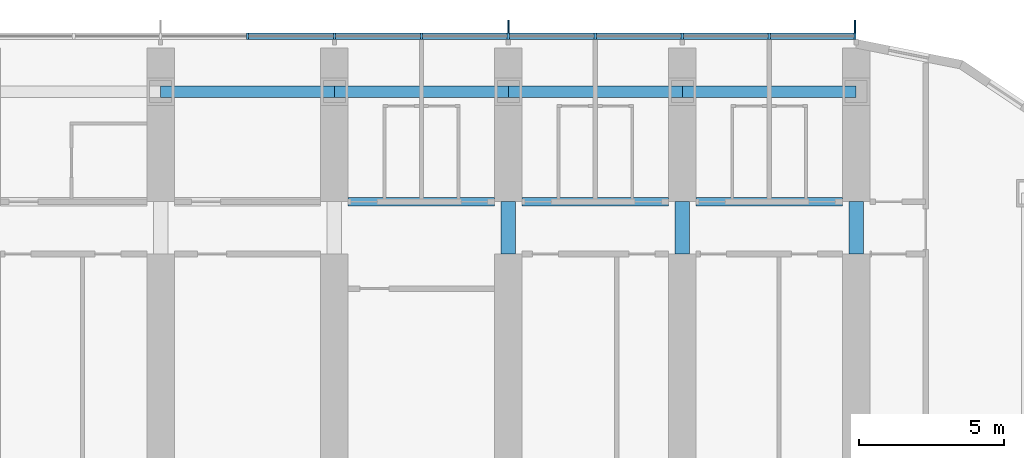
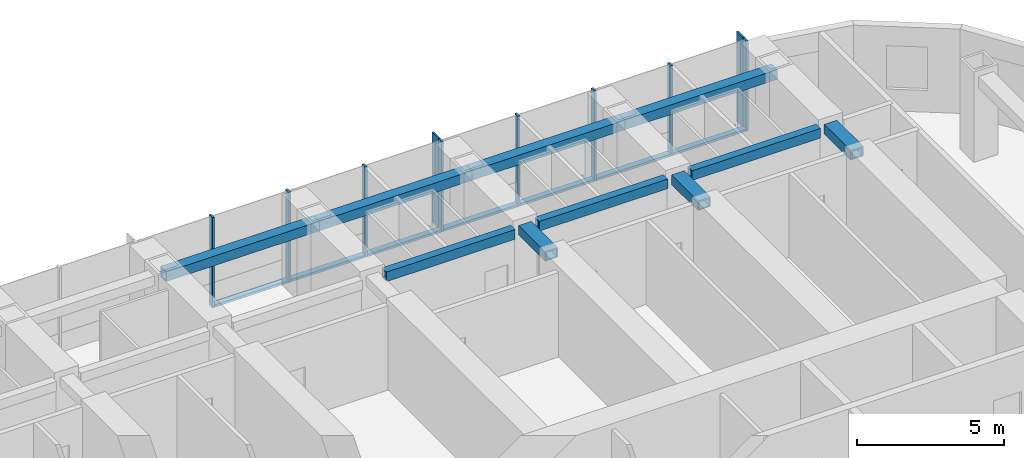
# One storey, part 5 of 22: 17 members, 10 beams, 1 element without a shape of its own.
"""IFC4 building model written with IfcOpenShell, lengths in metres."""

from ifc_helpers import new_model, si_unit, direction, frame, origin, origin_2d, place, context, subcontext, project, spatial, rectangle, hollow_rectangle, extrude, material, material_profile, profile_set, type_object, element, aggregate, save


model = new_model("IFC4")

# Units and contexts
model_context = context("Model", 3, precision=1e-05, world=origin(), true_north=direction((0.0, 1.0)))
body_context = subcontext(model_context, "Body", "Model", "MODEL_VIEW")
ifc_project = project(units=[si_unit("LENGTHUNIT", "METRE"), si_unit("AREAUNIT", "SQUARE_METRE"), si_unit("VOLUMEUNIT", "CUBIC_METRE"), si_unit("PLANEANGLEUNIT", "RADIAN"), si_unit("MASSUNIT", "GRAM", prefix="KILO")], contexts=[model_context])

# Site, building, storey
site_placement = place(None, origin())
site = spatial("IfcSite", under=ifc_project, at=site_placement, CompositionType="ELEMENT")
building_placement = place(site_placement, origin())
building = spatial("IfcBuilding", under=site, at=building_placement, Name="Orbita Commons", CompositionType="ELEMENT")
storey_placement = place(building_placement, frame((0.0, 0.0, 118.14990234375)))
storey = spatial("IfcBuildingStorey", under=building, at=storey_placement, Name="L29", CompositionType="ELEMENT", Elevation=118.14990234375)

# Curtain wall, members
ifc_material_1 = material(Name="Anodised aluminium frame, pale silver", Category="aluminium")
curtain_wall_type = type_object("IfcCurtainWallType", Name="Unitised curtain wall CW-T, vision and spandrel", PredefinedType="NOTDEFINED", material=ifc_material_1)
curtain_wall_placement = place(storey_placement, origin())
curtain_wall = element("IfcCurtainWall", 1, at=curtain_wall_placement, inside=storey, type_object=curtain_wall_type, Name="Curtain wall north L29", PredefinedType="NOTDEFINED")
ifc_material_2 = material(Name="Anodised aluminium, pale silver", Category="aluminium")
ifc_material_profile_1 = material_profile(ifc_material_2, rectangle(XDim=0.080078125, YDim=0.219970703125, at=origin_2d()), Name="AL 80x220")
ifc_profile_set_1 = profile_set([ifc_material_profile_1], Name="Anodised aluminium, pale silver")
member_type_1 = type_object("IfcMemberType", Name="Curtain wall mullion 80x220", PredefinedType="MULLION", material=ifc_profile_set_1)
member_1_placement = place(storey_placement, frame((65.9599609375, 55.510009765625, -0.25), z_axis=(0.0, 0.0, 1.0), x_axis=(-1.0, 0.0, 0.0)))
member_1 = element("IfcMember", 2, at=member_1_placement, type_object=member_type_1, Name="Mullion 1 CW-L29-N", PredefinedType="MULLION", context=body_context, shape_type="SweptSolid", body=[
    extrude(rectangle(XDim=0.080078125, YDim=0.219970703125, at=origin_2d()), origin(), (0.0, 0.0, 1.0), 3.75),
])
member_2_placement = place(storey_placement, frame((63.0, 55.510009765625, -0.25), z_axis=(0.0, 0.0, 1.0), x_axis=(-1.0, 0.0, 0.0)))
member_2 = element("IfcMember", 3, at=member_2_placement, type_object=member_type_1, Name="Mullion 2 CW-L29-N", PredefinedType="MULLION", context=body_context, shape_type="SweptSolid", body=[
    extrude(rectangle(XDim=0.080078125, YDim=0.219970703125, at=origin_2d()), origin(), (0.0, 0.0, 1.0), 3.75),
])
member_3_placement = place(storey_placement, frame((60.0, 55.510009765625, -0.25), z_axis=(0.0, 0.0, 1.0), x_axis=(-1.0, 0.0, 0.0)))
member_3 = element("IfcMember", 4, at=member_3_placement, type_object=member_type_1, Name="Mullion 3 CW-L29-N", PredefinedType="MULLION", context=body_context, shape_type="SweptSolid", body=[
    extrude(rectangle(XDim=0.080078125, YDim=0.219970703125, at=origin_2d()), origin(), (0.0, 0.0, 1.0), 3.75),
])
member_4_placement = place(storey_placement, frame((57.0, 55.510009765625, -0.25), z_axis=(0.0, 0.0, 1.0), x_axis=(-1.0, 0.0, 0.0)))
member_4 = element("IfcMember", 5, at=member_4_placement, type_object=member_type_1, Name="Mullion 4 CW-L29-N", PredefinedType="MULLION", context=body_context, shape_type="SweptSolid", body=[
    extrude(rectangle(XDim=0.080078125, YDim=0.219970703125, at=origin_2d()), origin(), (0.0, 0.0, 1.0), 3.75),
])
member_5_placement = place(storey_placement, frame((54.0, 55.510009765625, -0.25), z_axis=(0.0, 0.0, 1.0), x_axis=(-1.0, 0.0, 0.0)))
member_5 = element("IfcMember", 6, at=member_5_placement, type_object=member_type_1, Name="Mullion 5 CW-L29-N", PredefinedType="MULLION", context=body_context, shape_type="SweptSolid", body=[
    extrude(rectangle(XDim=0.080078125, YDim=0.219970703125, at=origin_2d()), origin(), (0.0, 0.0, 1.0), 3.75),
])
member_6_placement = place(storey_placement, frame((51.0, 55.510009765625, -0.25), z_axis=(0.0, 0.0, 1.0), x_axis=(-1.0, 0.0, 0.0)))
member_6 = element("IfcMember", 7, at=member_6_placement, type_object=member_type_1, Name="Mullion 6 CW-L29-N", PredefinedType="MULLION", context=body_context, shape_type="SweptSolid", body=[
    extrude(rectangle(XDim=0.080078125, YDim=0.219970703125, at=origin_2d()), origin(), (0.0, 0.0, 1.0), 3.75),
])
member_7_placement = place(storey_placement, frame((48.0, 55.510009765625, -0.25), z_axis=(0.0, 0.0, 1.0), x_axis=(-1.0, 0.0, 0.0)))
member_7 = element("IfcMember", 8, at=member_7_placement, type_object=member_type_1, Name="Mullion 7 CW-L29-N", PredefinedType="MULLION", context=body_context, shape_type="SweptSolid", body=[
    extrude(rectangle(XDim=0.080078125, YDim=0.219970703125, at=origin_2d()), origin(), (0.0, 0.0, 1.0), 3.75),
])
member_8_placement = place(storey_placement, frame((45.0, 55.510009765625, -0.25), z_axis=(0.0, 0.0, 1.0), x_axis=(-1.0, 0.0, 0.0)))
member_8 = element("IfcMember", 9, at=member_8_placement, type_object=member_type_1, Name="Mullion 8 CW-L29-N", PredefinedType="MULLION", context=body_context, shape_type="SweptSolid", body=[
    extrude(rectangle(XDim=0.080078125, YDim=0.219970703125, at=origin_2d()), origin(), (0.0, 0.0, 1.0), 3.75),
])
ifc_material_3 = material(Name="Anodised aluminium, pale silver", Category="aluminium")
ifc_material_profile_2 = material_profile(ifc_material_3, rectangle(XDim=0.219970703125, YDim=0.10009765625, at=origin_2d()), Name="AL 220x100")
ifc_profile_set_2 = profile_set([ifc_material_profile_2], Name="Anodised aluminium, pale silver")
member_type_2 = type_object("IfcMemberType", Name="Curtain wall stack transom 220x100", PredefinedType="USERDEFINED", material=ifc_profile_set_2)
member_9_placement = place(storey_placement, frame((65.919921875, 55.510009765625, -0.199951171875), z_axis=(-1.0, 0.0, 0.0), x_axis=(0.0, -1.0, 0.0)))
member_9 = element("IfcMember", 10, at=member_9_placement, type_object=member_type_2, Name="Transom 1.1 CW-L29-N", ObjectType="TRANSOM", PredefinedType="USERDEFINED", context=body_context, shape_type="SweptSolid", body=[
    extrude(rectangle(XDim=0.219970703125, YDim=0.10009765625, at=origin_2d()), origin(), (0.0, 0.0, 1.0), 2.8798828125),
])
member_10_placement = place(storey_placement, frame((62.9599609375, 55.510009765625, -0.199951171875), z_axis=(-1.0, 0.0, 0.0), x_axis=(0.0, -1.0, 0.0)))
member_10 = element("IfcMember", 11, at=member_10_placement, type_object=member_type_2, Name="Transom 2.1 CW-L29-N", ObjectType="TRANSOM", PredefinedType="USERDEFINED", context=body_context, shape_type="SweptSolid", body=[
    extrude(rectangle(XDim=0.219970703125, YDim=0.10009765625, at=origin_2d()), origin(), (0.0, 0.0, 1.0), 2.919921875),
])
member_11_placement = place(storey_placement, frame((59.9599609375, 55.510009765625, -0.199951171875), z_axis=(-1.0, 0.0, 0.0), x_axis=(0.0, -1.0, 0.0)))
member_11 = element("IfcMember", 12, at=member_11_placement, type_object=member_type_2, Name="Transom 3.1 CW-L29-N", ObjectType="TRANSOM", PredefinedType="USERDEFINED", context=body_context, shape_type="SweptSolid", body=[
    extrude(rectangle(XDim=0.219970703125, YDim=0.10009765625, at=origin_2d()), origin(), (0.0, 0.0, 1.0), 2.919921875),
])
member_12_placement = place(storey_placement, frame((56.9599609375, 55.510009765625, -0.199951171875), z_axis=(-1.0, 0.0, 0.0), x_axis=(0.0, -1.0, 0.0)))
member_12 = element("IfcMember", 13, at=member_12_placement, type_object=member_type_2, Name="Transom 4.1 CW-L29-N", ObjectType="TRANSOM", PredefinedType="USERDEFINED", context=body_context, shape_type="SweptSolid", body=[
    extrude(rectangle(XDim=0.219970703125, YDim=0.10009765625, at=origin_2d()), origin(), (0.0, 0.0, 1.0), 2.919921875),
])
member_13_placement = place(storey_placement, frame((53.9599609375, 55.510009765625, -0.199951171875), z_axis=(-1.0, 0.0, 0.0), x_axis=(0.0, -1.0, 0.0)))
member_13 = element("IfcMember", 14, at=member_13_placement, type_object=member_type_2, Name="Transom 5.1 CW-L29-N", ObjectType="TRANSOM", PredefinedType="USERDEFINED", context=body_context, shape_type="SweptSolid", body=[
    extrude(rectangle(XDim=0.219970703125, YDim=0.10009765625, at=origin_2d()), origin(), (0.0, 0.0, 1.0), 2.919921875),
])
member_14_placement = place(storey_placement, frame((50.9599609375, 55.510009765625, -0.199951171875), z_axis=(-1.0, 0.0, 0.0), x_axis=(0.0, -1.0, 0.0)))
member_14 = element("IfcMember", 15, at=member_14_placement, type_object=member_type_2, Name="Transom 6.1 CW-L29-N", ObjectType="TRANSOM", PredefinedType="USERDEFINED", context=body_context, shape_type="SweptSolid", body=[
    extrude(rectangle(XDim=0.219970703125, YDim=0.10009765625, at=origin_2d()), origin(), (0.0, 0.0, 1.0), 2.919921875),
])
member_15_placement = place(storey_placement, frame((47.9599609375, 55.510009765625, -0.199951171875), z_axis=(-1.0, 0.0, 0.0), x_axis=(0.0, -1.0, 0.0)))
member_15 = element("IfcMember", 16, at=member_15_placement, type_object=member_type_2, Name="Transom 7.1 CW-L29-N", ObjectType="TRANSOM", PredefinedType="USERDEFINED", context=body_context, shape_type="SweptSolid", body=[
    extrude(rectangle(XDim=0.219970703125, YDim=0.10009765625, at=origin_2d()), origin(), (0.0, 0.0, 1.0), 2.919921875),
])

# Beams
ifc_material_4 = material(Name="Steel ASTM A572 Gr 50 welded plate", Category="steel")
ifc_material_profile_3 = material_profile(ifc_material_4, hollow_rectangle(XDim=0.300048828125, YDim=0.39990234375, WallThickness=0.0400390625, at=origin_2d()), Name="BOX 400x300x40")
ifc_profile_set_3 = profile_set([ifc_material_profile_3], Name="Steel ASTM A572 Gr 50 welded plate")
beam_type_1 = type_object("IfcBeamType", Name="Steel corridor link BOX 400x300x40", PredefinedType="BEAM", material=ifc_profile_set_3)
for number, where, z_axis, x_axis, name in (
    (17, (48.47509765625, 49.800048828125, 3.300048828125), (1.0, 0.0, 0.0), (0.0, 1.0, 0.0), "Corridor beam NB 9-10 L29"),
    (18, (54.47509765625, 49.800048828125, 3.300048828125), (1.0, 0.0, 0.0), (0.0, 1.0, 0.0), "Corridor beam NB 10-11 L29"),
    (19, (60.47509765625, 49.800048828125, 3.300048828125), (1.0, 0.0, 0.0), (0.0, 1.0, 0.0), "Corridor beam NB 11-12 L29"),
):
    element("IfcBeam", number, at=place(storey_placement, frame(where, z_axis=z_axis, x_axis=x_axis)), inside=storey, type_object=beam_type_1, Name=name, PredefinedType="BEAM", context=body_context, shape_type="SweptSolid", body=[
        extrude(hollow_rectangle(XDim=0.300048828125, YDim=0.39990234375, WallThickness=0.0400390625, at=origin_2d()), origin(), (0.0, 0.0, 1.0), 5.0498046875),
    ])
ifc_material_5 = material(Name="Steel ASTM A572 Gr 50 welded plate", Category="steel")
ifc_material_profile_4 = material_profile(ifc_material_5, hollow_rectangle(XDim=0.5, YDim=0.39990234375, WallThickness=0.050048828125, at=origin_2d()), Name="BOX 400x500x50")
ifc_profile_set_4 = profile_set([ifc_material_profile_4], Name="Steel ASTM A572 Gr 50 welded plate")
beam_type_2 = type_object("IfcBeamType", Name="Steel coupling link BOX 400x500x50", PredefinedType="LINTEL", material=ifc_profile_set_4)
for number, where, z_axis, x_axis, name in (
    (20, (54.0, 48.0, 3.300048828125), (0.0, 1.0, 0.0), (-1.0, 0.0, 0.0), "Coupling beam 10 north L29"),
    (21, (60.0, 48.0, 3.300048828125), (0.0, 1.0, 0.0), (-1.0, 0.0, 0.0), "Coupling beam 11 north L29"),
    (22, (66.0, 48.0, 3.300048828125), (0.0, 1.0, 0.0), (-1.0, 0.0, 0.0), "Coupling beam 12 north L29"),
):
    element("IfcBeam", number, at=place(storey_placement, frame(where, z_axis=z_axis, x_axis=x_axis)), inside=storey, type_object=beam_type_2, Name=name, PredefinedType="LINTEL", context=body_context, shape_type="SweptSolid", body=[
        extrude(hollow_rectangle(XDim=0.5, YDim=0.39990234375, WallThickness=0.050048828125, at=origin_2d()), origin(), (0.0, 0.0, 1.0), 1.800048828125),
    ])
ifc_material_6 = material(Name="Steel ASTM A572 Gr 50 welded plate", Category="steel")
ifc_material_profile_5 = material_profile(ifc_material_6, hollow_rectangle(XDim=0.39990234375, YDim=0.39990234375, WallThickness=0.0400390625, at=origin_2d()), Name="BOX 400x400x40")
ifc_profile_set_5 = profile_set([ifc_material_profile_5], Name="Steel ASTM A572 Gr 50 welded plate")
beam_type_3 = type_object("IfcBeamType", Name="Steel spandrel BOX 400x400x40", PredefinedType="SPANDREL", material=ifc_profile_set_5)
for number, where, z_axis, x_axis, name in (
    (23, (42.0, 53.60009765625, 3.300048828125), (1.0, 0.0, 0.0), (0.0, 1.0, 0.0), "Spandrel beam E 8-9 L29"),
    (24, (48.0, 53.60009765625, 3.300048828125), (1.0, 0.0, 0.0), (0.0, 1.0, 0.0), "Spandrel beam E 9-10 L29"),
    (25, (54.0, 53.60009765625, 3.300048828125), (1.0, 0.0, 0.0), (0.0, 1.0, 0.0), "Spandrel beam E 10-11 L29"),
    (26, (60.0, 53.60009765625, 3.300048828125), (1.0, 0.0, 0.0), (0.0, 1.0, 0.0), "Spandrel beam E 11-12 L29"),
):
    element("IfcBeam", number, at=place(storey_placement, frame(where, z_axis=z_axis, x_axis=x_axis)), inside=storey, type_object=beam_type_3, Name=name, PredefinedType="SPANDREL", context=body_context, shape_type="SweptSolid", body=[
        extrude(hollow_rectangle(XDim=0.39990234375, YDim=0.39990234375, WallThickness=0.0400390625, at=origin_2d()), origin(), (0.0, 0.0, 1.0), 6.0),
    ])

# Member
ifc_material_7 = material(Name="Anodised aluminium, pale silver", Category="aluminium")
ifc_material_profile_6 = material_profile(ifc_material_7, rectangle(XDim=0.06005859375, YDim=0.449951171875, at=origin_2d()), Name="FIN 60x450")
ifc_profile_set_6 = profile_set([ifc_material_profile_6], Name="Anodised aluminium, pale silver")
member_type_3 = type_object("IfcMemberType", Name="Vertical fin 60x450 pale aluminium", PredefinedType="USERDEFINED", material=ifc_profile_set_6)
member_16_placement = place(storey_placement, frame((65.9599609375, 55.844970703125, -0.25), z_axis=(0.0, 0.0, 1.0), x_axis=(-1.0, 0.0, 0.0)))
member_16 = element("IfcMember", 27, at=member_16_placement, type_object=member_type_3, Name="Fin 1 CW-L29-N", ObjectType="FIN", PredefinedType="USERDEFINED", context=body_context, shape_type="SweptSolid", body=[
    extrude(rectangle(XDim=0.06005859375, YDim=0.449951171875, at=origin_2d()), origin(), (0.0, 0.0, 1.0), 3.75),
])

member_17_placement = place(storey_placement, frame((54.0, 55.844970703125, -0.25), z_axis=(0.0, 0.0, 1.0), x_axis=(-1.0, 0.0, 0.0)))
member_17 = element("IfcMember", 28, at=member_17_placement, type_object=member_type_3, Name="Fin 5 CW-L29-N", ObjectType="FIN", PredefinedType="USERDEFINED", context=body_context, shape_type="SweptSolid", body=[
    extrude(rectangle(XDim=0.06005859375, YDim=0.449951171875, at=origin_2d()), origin(), (0.0, 0.0, 1.0), 3.75),
])

aggregate(curtain_wall, [member_1, member_16, member_2, member_3, member_4, member_5, member_17, member_6, member_7, member_8, member_9, member_10, member_11, member_12, member_13, member_14, member_15])

save(model, "model.ifc")
